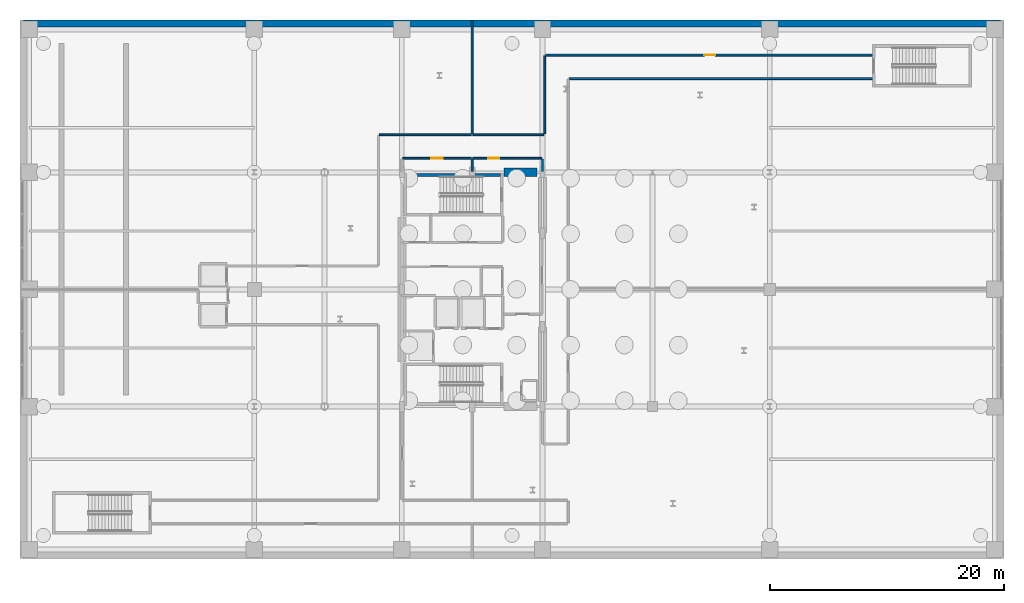
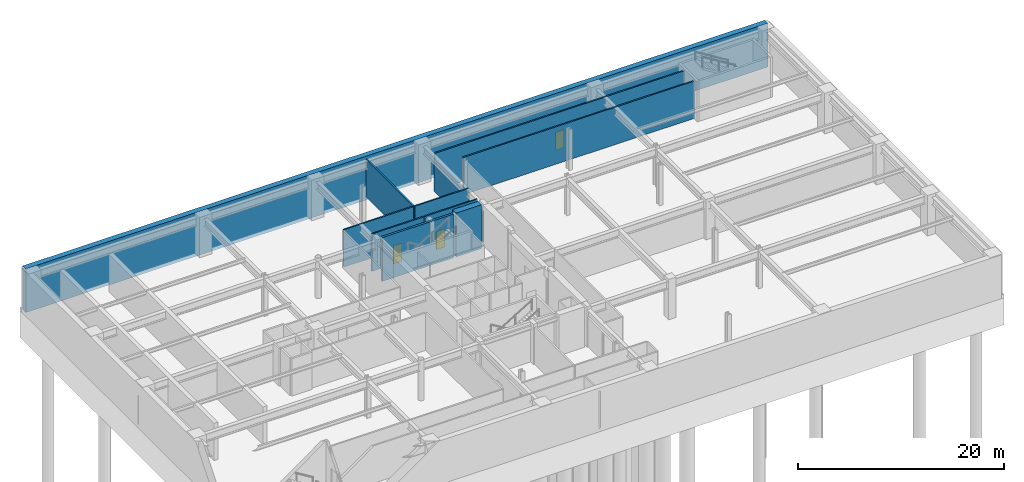
# One storey, part 20 of 25: 13 walls, 3 doors, 3 openings.
"""IFC4 building model written with IfcOpenShell, lengths in metres."""

from ifc_helpers import new_model, si_unit, direction, frame, frame_2d, origin, place, context, subcontext, project, spatial, rectangle, extrude, material, layer, layer_set, type_object, element, fill, save


model = new_model("IFC4")

# Units and contexts
model_context = context("Model", 3, precision=1e-05, world=origin(), true_north=direction((0.0, 1.0)))
body_context = subcontext(model_context, "Body", "Model", "MODEL_VIEW")
ifc_project = project(units=[si_unit("LENGTHUNIT", "METRE"), si_unit("AREAUNIT", "SQUARE_METRE"), si_unit("VOLUMEUNIT", "CUBIC_METRE"), si_unit("PLANEANGLEUNIT", "RADIAN"), si_unit("MASSUNIT", "GRAM", prefix="KILO")], contexts=[model_context])

# Site, building, storey
site_placement = place(None, origin())
site = spatial("IfcSite", under=ifc_project, at=site_placement, CompositionType="ELEMENT")
building_placement = place(site_placement, origin())
building = spatial("IfcBuilding", under=site, at=building_placement, Name="Soratama Intermodal Tower", CompositionType="ELEMENT")
storey_placement = place(building_placement, frame((0.0, 0.0, -10.199951171875)))
storey = spatial("IfcBuildingStorey", under=building, at=storey_placement, Name="B2", CompositionType="ELEMENT", Elevation=-10.199951171875)

# Wall, opening, door
ifc_material_1 = material(Name="Fire-rated gypsum stud partition", Category="concrete")
ifc_layer_1 = layer(ifc_material_1, 0.159912109375)
ifc_layer_set_1 = layer_set([ifc_layer_1], Name="Fire-rated gypsum stud partition")
wall_type_1 = type_object("IfcWallType", Name="IW-PART-R160", PredefinedType="PARTITIONING", material=ifc_layer_set_1)
wall_1_placement = place(storey_placement, frame((44.8701171875, 45.0, 0.0), z_axis=(0.0, 0.0, 1.0), x_axis=(1.0, 0.0, 0.0)))
wall_1 = element("IfcWall", 1, at=wall_1_placement, inside=storey, type_object=wall_type_1, Name="B2 Partition W-B2-TP002", PredefinedType="PARTITIONING", context=body_context, shape_type="SweptSolid", body=[
    extrude(rectangle(XDim=28.009765625, YDim=0.159912109375, at=frame_2d((14.0048828125, 0.0))), origin(), (0.0, 0.0, 1.0), 4.43994140625),
])
opening_1_placement = place(wall_1_placement, frame((13.530029296875, 0.0, 0.0)))
opening_1 = element("IfcOpeningElement", 2, at=opening_1_placement, cuts=wall_1, Name="Opening ID-3", PredefinedType="OPENING", context=body_context, shape_type="SweptSolid", body=[
    extrude(rectangle(XDim=0.949951171875, YDim=2.14990234375, at=frame_2d((0.47509765625, 1.074951171875))), frame((0.0, 0.08984375, 0.0), z_axis=(0.0, -1.0, 0.0), x_axis=(1.0, 0.0, 0.0)), (0.0, 0.0, 1.0), 0.179931640625),
])
ifc_material_2 = material(Name="Solid hardwood acoustic door", Category="wood")
door_type = type_object("IfcDoorType", Name="DR-ROOM-950", OperationType="NOTDEFINED", PredefinedType="DOOR", material=ifc_material_2)
door_1_placement = place(opening_1_placement, origin())
door_1 = element("IfcDoor", 3, at=door_1_placement, inside=storey, type_object=door_type, Name="B2 Door D-B2-TP001", OperationType="SINGLE_SWING_RIGHT", OverallHeight=2.14990234375, OverallWidth=0.949951171875, PredefinedType="DOOR", context=body_context, shape_type="SweptSolid", body=[
    extrude(rectangle(XDim=0.949951171875, YDim=2.14990234375, at=frame_2d((0.47509765625, 1.074951171875))), frame((0.0, 0.02490234375, 0.0), z_axis=(0.0, -1.0, 0.0), x_axis=(1.0, 0.0, 0.0)), (0.0, 0.0, 1.0), 0.050048828125),
])
fill(opening_1, door_1)

# Walls
wall_2_placement = place(storey_placement, frame((72.8798828125, 43.0, 0.0), z_axis=(0.0, 0.0, 1.0), x_axis=(-1.0, 0.0, 0.0)))
element("IfcWall", 4, at=wall_2_placement, inside=storey, type_object=wall_type_1, Name="B2 Partition W-B2-TP004", PredefinedType="PARTITIONING", context=body_context, shape_type="SweptSolid", body=[
    extrude(rectangle(XDim=26.009765625, YDim=0.159912109375, at=frame_2d((13.0048828125, 0.0))), origin(), (0.0, 0.0, 1.0), 4.43994140625),
])
wall_3_placement = place(storey_placement, frame((38.60009765625, 38.27001953125, 0.0), z_axis=(0.0, 0.0, 1.0), x_axis=(0.0, 1.0, 0.0)))
element("IfcWall", 5, at=wall_3_placement, inside=storey, type_object=wall_type_1, Name="B2 Partition W-B2-TP013", PredefinedType="PARTITIONING", context=body_context, shape_type="SweptSolid", body=[
    extrude(rectangle(XDim=9.72998046875, YDim=0.159912109375, at=frame_2d((4.864990234375, 0.0))), origin(), (0.0, 0.0, 1.0), 4.43994140625),
])
wall_4_placement = place(storey_placement, frame((30.669921875, 38.199951171875, 0.0), z_axis=(0.0, 0.0, 1.0), x_axis=(1.0, 0.0, 0.0)))
element("IfcWall", 6, at=wall_4_placement, inside=storey, type_object=wall_type_1, Name="B2 Partition W-B2-TP017", PredefinedType="PARTITIONING", context=body_context, shape_type="SweptSolid", body=[
    extrude(rectangle(XDim=7.860107421875, YDim=0.159912109375, at=frame_2d((3.93017578125, 0.0))), origin(), (0.0, 0.0, 1.0), 4.43994140625),
])
wall_5_placement = place(storey_placement, frame((44.800048828125, 38.27001953125, 0.0), z_axis=(0.0, 0.0, 1.0), x_axis=(0.0, 1.0, 0.0)))
element("IfcWall", 7, at=wall_5_placement, inside=storey, type_object=wall_type_1, Name="B2 Partition W-B2-TP021", PredefinedType="PARTITIONING", context=body_context, shape_type="SweptSolid", body=[
    extrude(rectangle(XDim=6.659912109375, YDim=0.159912109375, at=frame_2d((3.330078125, 0.0))), origin(), (0.0, 0.0, 1.0), 3.56201171875),
])
wall_6_placement = place(storey_placement, frame((38.669921875, 38.199951171875, 0.0), z_axis=(0.0, 0.0, 1.0), x_axis=(1.0, 0.0, 0.0)))
element("IfcWall", 8, at=wall_6_placement, inside=storey, type_object=wall_type_1, Name="B2 Partition W-B2-TP022", PredefinedType="PARTITIONING", context=body_context, shape_type="SweptSolid", body=[
    extrude(rectangle(XDim=6.06005859375, YDim=0.159912109375, at=frame_2d((3.030029296875, 0.0))), origin(), (0.0, 0.0, 1.0), 4.43994140625),
])

# Wall, opening, door
wall_7_placement = place(storey_placement, frame((38.530029296875, 36.199951171875, 0.0), z_axis=(0.0, 0.0, 1.0), x_axis=(-1.0, 0.0, 0.0)))
wall_7 = element("IfcWall", 9, at=wall_7_placement, inside=storey, type_object=wall_type_1, Name="B2 Partition W-B2-TP025", PredefinedType="PARTITIONING", context=body_context, shape_type="SweptSolid", body=[
    extrude(rectangle(XDim=5.860107421875, YDim=0.159912109375, at=frame_2d((2.93017578125, 0.0))), origin(), (0.0, 0.0, 1.0), 4.43994140625),
])
opening_2_placement = place(wall_7_placement, frame((2.455078125, 0.0, 0.0)))
opening_2 = element("IfcOpeningElement", 10, at=opening_2_placement, cuts=wall_7, Name="Opening ID-3", PredefinedType="OPENING", context=body_context, shape_type="SweptSolid", body=[
    extrude(rectangle(XDim=0.949951171875, YDim=2.14990234375, at=frame_2d((0.47509765625, 1.074951171875))), frame((0.0, 0.08984375, 0.0), z_axis=(0.0, -1.0, 0.0), x_axis=(1.0, 0.0, 0.0)), (0.0, 0.0, 1.0), 0.179931640625),
])
door_2_placement = place(opening_2_placement, origin())
door_2 = element("IfcDoor", 11, at=door_2_placement, inside=storey, type_object=door_type, Name="B2 Door D-B2-TP009", OperationType="SINGLE_SWING_RIGHT", OverallHeight=2.14990234375, OverallWidth=0.949951171875, PredefinedType="DOOR", context=body_context, shape_type="SweptSolid", body=[
    extrude(rectangle(XDim=0.949951171875, YDim=2.14990234375, at=frame_2d((0.47509765625, 1.074951171875))), frame((0.0, 0.02490234375, 0.0), z_axis=(0.0, -1.0, 0.0), x_axis=(1.0, 0.0, 0.0)), (0.0, 0.0, 1.0), 0.050048828125),
])
fill(opening_2, door_2)

wall_8_placement = place(storey_placement, frame((44.530029296875, 36.199951171875, 0.0), z_axis=(0.0, 0.0, 1.0), x_axis=(-1.0, 0.0, 0.0)))
wall_8 = element("IfcWall", 12, at=wall_8_placement, inside=storey, type_object=wall_type_1, Name="B2 Partition W-B2-TP026", PredefinedType="PARTITIONING", context=body_context, shape_type="SweptSolid", body=[
    extrude(rectangle(XDim=5.860107421875, YDim=0.159912109375, at=frame_2d((2.93017578125, 0.0))), origin(), (0.0, 0.0, 1.0), 4.43994140625),
])
opening_3_placement = place(wall_8_placement, frame((3.626953125, 0.0, 0.0)))
opening_3 = element("IfcOpeningElement", 13, at=opening_3_placement, cuts=wall_8, Name="Opening ID-3", PredefinedType="OPENING", context=body_context, shape_type="SweptSolid", body=[
    extrude(rectangle(XDim=0.949951171875, YDim=2.14990234375, at=frame_2d((0.47509765625, 1.074951171875))), frame((0.0, 0.08984375, 0.0), z_axis=(0.0, -1.0, 0.0), x_axis=(1.0, 0.0, 0.0)), (0.0, 0.0, 1.0), 0.179931640625),
])
door_3_placement = place(opening_3_placement, origin())
door_3 = element("IfcDoor", 14, at=door_3_placement, inside=storey, type_object=door_type, Name="B2 Door D-B2-TP010", OperationType="SINGLE_SWING_LEFT", OverallHeight=2.14990234375, OverallWidth=0.949951171875, PredefinedType="DOOR", context=body_context, shape_type="SweptSolid", body=[
    extrude(rectangle(XDim=0.949951171875, YDim=2.14990234375, at=frame_2d((0.47509765625, 1.074951171875))), frame((0.0, 0.02490234375, 0.0), z_axis=(0.0, -1.0, 0.0), x_axis=(1.0, 0.0, 0.0)), (0.0, 0.0, 1.0), 0.050048828125),
])
fill(opening_3, door_3)

# Walls
wall_9_placement = place(storey_placement, frame((44.60009765625, 35.070068359375, 0.0), z_axis=(0.0, 0.0, 1.0), x_axis=(0.0, 1.0, 0.0)))
element("IfcWall", 15, at=wall_9_placement, inside=storey, type_object=wall_type_1, Name="B2 Partition W-B2-TP046", PredefinedType="PARTITIONING", context=body_context, shape_type="SweptSolid", body=[
    extrude(rectangle(XDim=1.059814453125, YDim=0.159912109375, at=frame_2d((0.52978515625, 0.0))), origin(), (0.0, 0.0, 1.0), 3.56201171875),
])
wall_10_placement = place(storey_placement, frame((38.60009765625, 36.1298828125, 0.0), z_axis=(0.0, 0.0, 1.0), x_axis=(0.0, -1.0, 0.0)))
element("IfcWall", 16, at=wall_10_placement, inside=storey, type_object=wall_type_1, Name="B2 Partition W-B2-TP047", PredefinedType="PARTITIONING", context=body_context, shape_type="SweptSolid", body=[
    extrude(rectangle(XDim=1.059814453125, YDim=0.159912109375, at=frame_2d((0.52978515625, 0.0))), origin(), (0.0, 0.0, 1.0), 4.43994140625),
])
ifc_material_3 = material(Name="Concrete f'c 42 MPa", Category="concrete")
ifc_layer_2 = layer(ifc_material_3, 0.60009765625)
ifc_layer_set_2 = layer_set([ifc_layer_2], Name="Concrete f'c 42 MPa")
wall_type_2 = type_object("IfcWallType", Name="RW-BSMT-600", PredefinedType="USERDEFINED", material=ifc_layer_set_2)
wall_11_placement = place(storey_placement, frame((83.699951171875, 47.699951171875, -0.400146484375), z_axis=(0.0, 0.0, 1.0), x_axis=(-1.0, 0.0, 0.0)))
element("IfcWall", 17, at=wall_11_placement, inside=storey, type_object=wall_type_2, Name="B2 Retaining Wall N", ObjectType="RETAINING WALL", PredefinedType="USERDEFINED", context=body_context, shape_type="SweptSolid", body=[
    extrude(rectangle(XDim=83.39990234375, YDim=0.60009765625, at=frame_2d((41.699951171875, 0.0))), origin(), (0.0, 0.0, 1.0), 5.2001953125),
])
ifc_material_4 = material(Name="Concrete f'c 56 MPa", Category="concrete")
ifc_layer_3 = layer(ifc_material_4, 0.699951171875)
ifc_layer_set_3 = layer_set([ifc_layer_3], Name="Concrete f'c 56 MPa")
wall_type_3 = type_object("IfcWallType", Name="SW-CORE-700", PredefinedType="SHEAR", material=ifc_layer_set_3)
wall_12_placement = place(storey_placement, frame((41.300048828125, 35.0, -0.400146484375), z_axis=(0.0, 0.0, 1.0), x_axis=(1.0, 0.0, 0.0)))
element("IfcWall", 18, at=wall_12_placement, inside=storey, type_object=wall_type_3, Name="B2 Core Shear Wall CW-NE", PredefinedType="SHEAR", context=body_context, shape_type="SweptSolid", body=[
    extrude(rectangle(XDim=2.849853515625, YDim=0.699951171875, at=frame_2d((1.4248046875, 0.0))), origin(), (0.0, 0.0, 1.0), 5.2001953125),
])
ifc_material_5 = material(Name="Concrete f'c 56 MPa", Category="concrete")
ifc_layer_4 = layer(ifc_material_5, 0.239990234375)
ifc_layer_set_4 = layer_set([ifc_layer_4], Name="Concrete f'c 56 MPa")
wall_type_4 = type_object("IfcWallType", Name="SW-STAIR-240", PredefinedType="SHEAR", material=ifc_layer_set_4)
wall_13_placement = place(storey_placement, frame((33.0, 34.77001953125, -0.400146484375), z_axis=(0.0, 0.0, 1.0), x_axis=(1.0, 0.0, 0.0)))
element("IfcWall", 19, at=wall_13_placement, inside=storey, type_object=wall_type_4, Name="B2 ST-2 Shaft Shear Wall N", PredefinedType="SHEAR", context=body_context, shape_type="SweptSolid", body=[
    extrude(rectangle(XDim=8.0, YDim=0.239990234375, at=frame_2d((4.0, 0.0))), origin(), (0.0, 0.0, 1.0), 5.2001953125),
])

save(model, "model.ifc")
